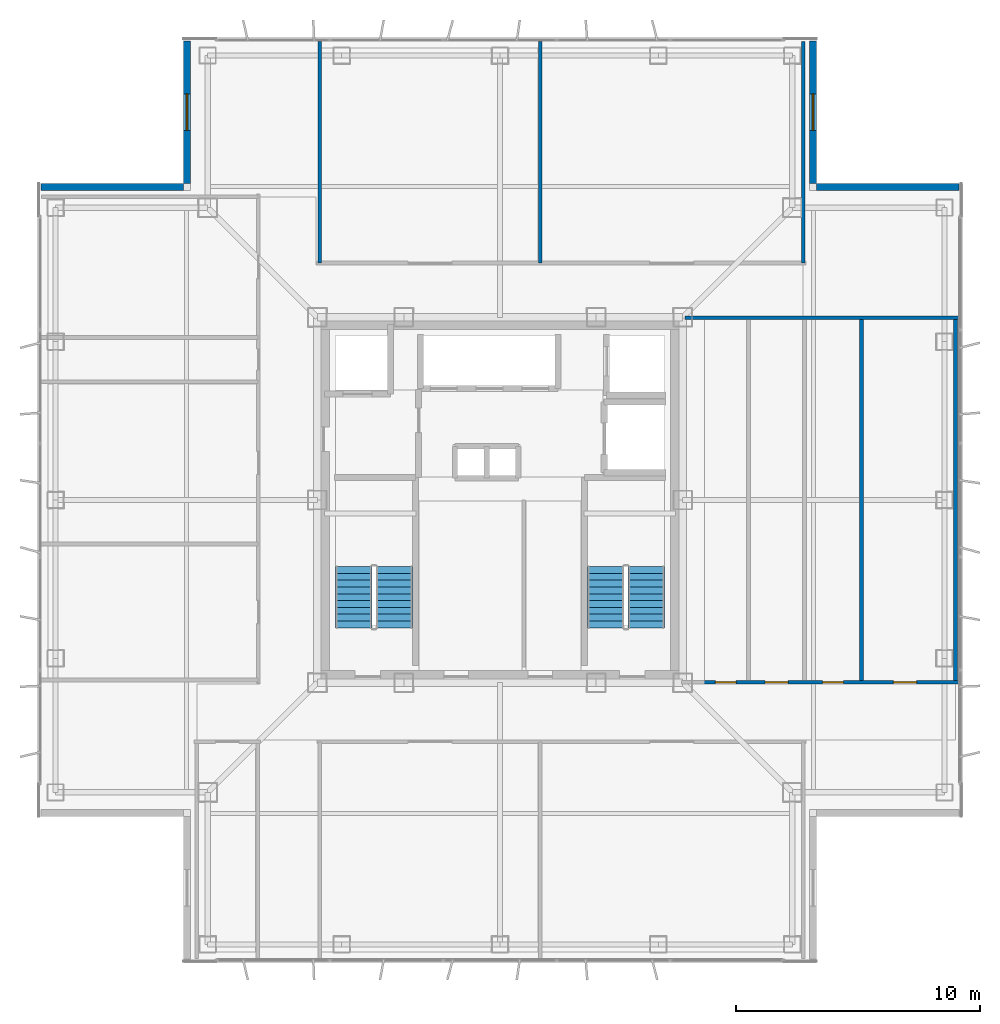
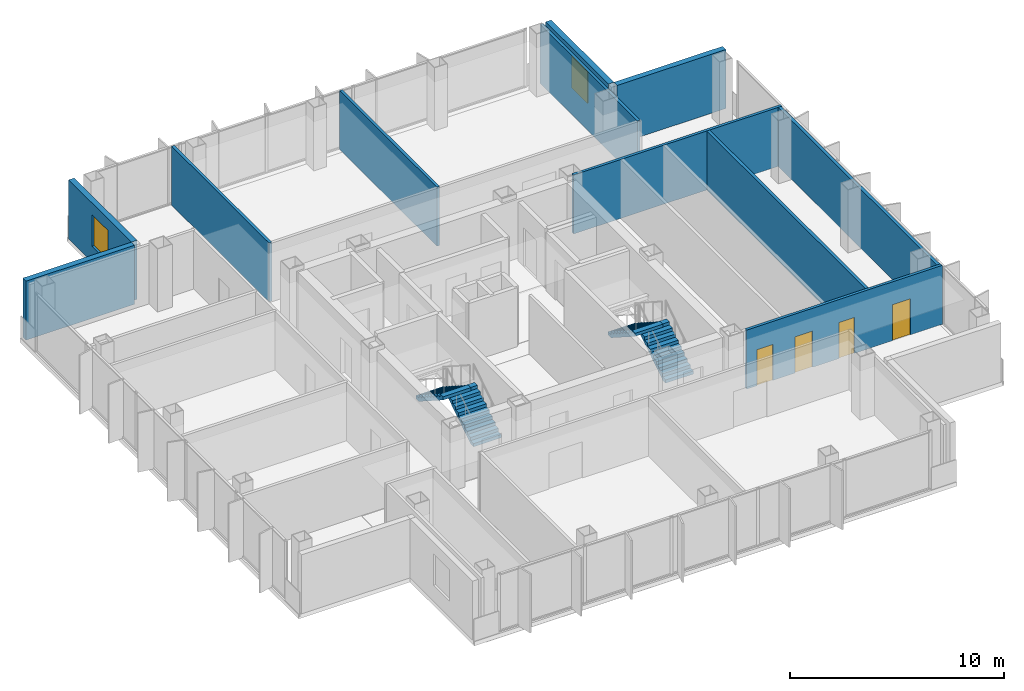
# One storey, part 9 of 15: 11 walls, 4 doors, 4 stair flights, 2 windows, 6 openings, 2 elements without a shape of their own.
"""IFC4 building model written with IfcOpenShell, lengths in metres."""

from ifc_helpers import new_model, si_unit, direction, frame, frame_2d, origin, place, context, subcontext, project, spatial, polyline, rectangle, outline, extrude, material, layer, layer_set, type_object, element, fill, aggregate, save


model = new_model("IFC4")

# Units and contexts
model_context = context("Model", 3, precision=1e-05, world=origin(), true_north=direction((0.0, 1.0)))
body_context = subcontext(model_context, "Body", "Model", "MODEL_VIEW")
ifc_project = project(units=[si_unit("LENGTHUNIT", "METRE"), si_unit("AREAUNIT", "SQUARE_METRE"), si_unit("VOLUMEUNIT", "CUBIC_METRE"), si_unit("PLANEANGLEUNIT", "RADIAN"), si_unit("MASSUNIT", "GRAM", prefix="KILO")], contexts=[model_context])

# Site, building, storey
site_placement = place(None, origin())
site = spatial("IfcSite", under=ifc_project, at=site_placement, CompositionType="ELEMENT")
building_placement = place(site_placement, origin())
building = spatial("IfcBuilding", under=site, at=building_placement, Name="Trevonay Congress Spire", CompositionType="ELEMENT")
storey_placement = place(building_placement, frame((0.0, 0.0, 282.800048828125)))
storey = spatial("IfcBuildingStorey", under=building, at=storey_placement, Name="L74", CompositionType="ELEMENT", Elevation=282.800048828125)

# Wall, openings, doors
ifc_material_1 = material(Name="Concrete C40/50", Category="concrete")
ifc_layer_1 = layer(ifc_material_1, 0.14990234375, Name="Concrete C40/50")
ifc_layer_set_1 = layer_set([ifc_layer_1], Name="Concrete C40/50")
wall_type_1 = type_object("IfcWallType", Name="WAL-CORR-150", PredefinedType="PARTITIONING", material=ifc_layer_set_1)
wall_1_placement = place(storey_placement, frame((8.280029296875, -7.47998046875, 0.0), z_axis=(0.0, 0.0, 1.0), x_axis=(1.0, 0.0, 0.0)))
wall_1 = element("IfcWall", 1, at=wall_1_placement, inside=storey, type_object=wall_type_1, Name="L74 interior wall WP-L74E-COR", PredefinedType="PARTITIONING", context=body_context, shape_type="SweptSolid", body=[
    extrude(rectangle(XDim=10.5400390625, YDim=0.14990234375, at=frame_2d((5.27001953125, 0.0))), origin(), (0.0, 0.0, 1.0), 3.35986328125),
])
opening_1_placement = place(wall_1_placement, frame((0.56005859375, 0.0, 0.0)))
opening_1 = element("IfcOpeningElement", 2, at=opening_1_placement, cuts=wall_1, Name="Opening D10", PredefinedType="OPENING", context=body_context, shape_type="SweptSolid", body=[
    extrude(rectangle(XDim=0.85009765625, YDim=2.050048828125, at=frame_2d((0.425048828125, 1.02490234375))), frame((0.0, 0.0849609375, 0.0), z_axis=(0.0, -1.0, 0.0), x_axis=(1.0, 0.0, 0.0)), (0.0, 0.0, 1.0), 0.169921875),
])
opening_2_placement = place(wall_1_placement, frame((2.60009765625, 0.0, 0.0)))
opening_2 = element("IfcOpeningElement", 3, at=opening_2_placement, cuts=wall_1, Name="Opening D07", PredefinedType="OPENING", context=body_context, shape_type="SweptSolid", body=[
    extrude(rectangle(XDim=0.949951171875, YDim=2.06005859375, at=frame_2d((0.47509765625, 1.030029296875))), frame((0.0, 0.0849609375, 0.0), z_axis=(0.0, -1.0, 0.0), x_axis=(1.0, 0.0, 0.0)), (0.0, 0.0, 1.0), 0.169921875),
])
opening_3_placement = place(wall_1_placement, frame((4.969970703125, 0.0, 0.0)))
opening_3 = element("IfcOpeningElement", 4, at=opening_3_placement, cuts=wall_1, Name="Opening D10", PredefinedType="OPENING", context=body_context, shape_type="SweptSolid", body=[
    extrude(rectangle(XDim=0.85009765625, YDim=2.050048828125, at=frame_2d((0.425048828125, 1.02490234375))), frame((0.0, 0.0849609375, 0.0), z_axis=(0.0, -1.0, 0.0), x_axis=(1.0, 0.0, 0.0)), (0.0, 0.0, 1.0), 0.169921875),
])
opening_4_placement = place(wall_1_placement, frame((7.8701171875, 0.0, 0.0)))
opening_4 = element("IfcOpeningElement", 5, at=opening_4_placement, cuts=wall_1, Name="Opening D07", PredefinedType="OPENING", context=body_context, shape_type="SweptSolid", body=[
    extrude(rectangle(XDim=0.949951171875, YDim=2.06005859375, at=frame_2d((0.47509765625, 1.030029296875))), frame((0.0, 0.0849609375, 0.0), z_axis=(0.0, -1.0, 0.0), x_axis=(1.0, 0.0, 0.0)), (0.0, 0.0, 1.0), 0.169921875),
])
ifc_material_2 = material(Name="Pale Anodised Aluminium EN AW-6063-T6", Category="aluminium")
door_type_1 = type_object("IfcDoorType", Name="DOR-OFFICE-95", OperationType="NOTDEFINED", PredefinedType="DOOR", material=ifc_material_2)
door_1_placement = place(opening_2_placement, origin())
door_1 = element("IfcDoor", 6, at=door_1_placement, inside=storey, type_object=door_type_1, Name="L74 Floor Supplies and Copy Room Door", OperationType="SINGLE_SWING_RIGHT", OverallHeight=2.06005859375, OverallWidth=0.949951171875, PredefinedType="DOOR", context=body_context, shape_type="SweptSolid", body=[
    extrude(rectangle(XDim=0.949951171875, YDim=2.06005859375, at=frame_2d((0.47509765625, 1.030029296875))), frame((0.0, 0.02490234375, 0.0), z_axis=(0.0, -1.0, 0.0), x_axis=(1.0, 0.0, 0.0)), (0.0, 0.0, 1.0), 0.050048828125),
])
fill(opening_2, door_1)
door_2_placement = place(opening_4_placement, origin())
door_2 = element("IfcDoor", 7, at=door_2_placement, inside=storey, type_object=door_type_1, Name="L74 Floor Supplies and Copy Room Door", OperationType="SINGLE_SWING_RIGHT", OverallHeight=2.06005859375, OverallWidth=0.949951171875, PredefinedType="DOOR", context=body_context, shape_type="SweptSolid", body=[
    extrude(rectangle(XDim=0.949951171875, YDim=2.06005859375, at=frame_2d((0.47509765625, 1.030029296875))), frame((0.0, 0.02490234375, 0.0), z_axis=(0.0, -1.0, 0.0), x_axis=(1.0, 0.0, 0.0)), (0.0, 0.0, 1.0), 0.050048828125),
])
fill(opening_4, door_2)
door_type_2 = type_object("IfcDoorType", Name="DOR-WC-85", OperationType="NOTDEFINED", PredefinedType="DOOR", material=ifc_material_2)
door_3_placement = place(opening_1_placement, origin())
door_3 = element("IfcDoor", 8, at=door_3_placement, inside=storey, type_object=door_type_2, Name="L74 Female Restroom WC Door", OperationType="SINGLE_SWING_LEFT", OverallHeight=2.050048828125, OverallWidth=0.85009765625, PredefinedType="DOOR", context=body_context, shape_type="SweptSolid", body=[
    extrude(rectangle(XDim=0.85009765625, YDim=2.050048828125, at=frame_2d((0.425048828125, 1.02490234375))), frame((0.0, 0.02490234375, 0.0), z_axis=(0.0, -1.0, 0.0), x_axis=(1.0, 0.0, 0.0)), (0.0, 0.0, 1.0), 0.050048828125),
])
fill(opening_1, door_3)
door_4_placement = place(opening_3_placement, origin())
door_4 = element("IfcDoor", 9, at=door_4_placement, inside=storey, type_object=door_type_2, Name="L74 Male Restroom WC Door", OperationType="SINGLE_SWING_LEFT", OverallHeight=2.050048828125, OverallWidth=0.85009765625, PredefinedType="DOOR", context=body_context, shape_type="SweptSolid", body=[
    extrude(rectangle(XDim=0.85009765625, YDim=2.050048828125, at=frame_2d((0.425048828125, 1.02490234375))), frame((0.0, 0.02490234375, 0.0), z_axis=(0.0, -1.0, 0.0), x_axis=(1.0, 0.0, 0.0)), (0.0, 0.0, 1.0), 0.050048828125),
])
fill(opening_3, door_4)

# Wall, opening, window
ifc_material_3 = material(Name="Precast concrete C40/50", Category="concrete")
ifc_layer_2 = layer(ifc_material_3, 0.300048828125, Name="Precast concrete C40/50")
ifc_layer_set_2 = layer_set([ifc_layer_2], Name="Precast concrete C40/50")
wall_type_2 = type_object("IfcWallType", Name="WAL-EXT-PRECAST-300", PredefinedType="SOLIDWALL", material=ifc_layer_set_2)
wall_2_placement = place(storey_placement, frame((12.85009765625, 18.85009765625, 0.0), z_axis=(0.0, 0.0, 1.0), x_axis=(0.0, -1.0, 0.0)))
wall_2 = element("IfcWall", 10, at=wall_2_placement, inside=storey, type_object=wall_type_2, Name="L74 NE re-entrant notch exterior wall 1", PredefinedType="SOLIDWALL", context=body_context, shape_type="SweptSolid", body=[
    extrude(rectangle(XDim=5.85009765625, YDim=0.300048828125, at=frame_2d((2.925048828125, 0.0))), origin(), (0.0, 0.0, 1.0), 3.35986328125),
])
opening_5_placement = place(wall_2_placement, frame((2.175048828125, 0.0, 0.89990234375)))
opening_5 = element("IfcOpeningElement", 11, at=opening_5_placement, cuts=wall_2, Name="Opening WN03", PredefinedType="OPENING", context=body_context, shape_type="SweptSolid", body=[
    extrude(rectangle(XDim=1.5, YDim=1.800048828125, at=frame_2d((0.75, 0.89990234375))), frame((0.0, 0.16015625, 0.0), z_axis=(0.0, -1.0, 0.0), x_axis=(1.0, 0.0, 0.0)), (0.0, 0.0, 1.0), 0.320068359375),
])
ifc_material_4 = material(Name="Insulated Low-E Vision Glass IGU", Category="glass")
window_type = type_object("IfcWindowType", Name="WIN-NOTCH-150X180", PartitioningType="SINGLE_PANEL", PredefinedType="WINDOW", material=ifc_material_4)
window_1_placement = place(opening_5_placement, origin())
window_1 = element("IfcWindow", 12, at=window_1_placement, inside=storey, type_object=window_type, Name="L74 NE corner notch window", OverallHeight=1.800048828125, OverallWidth=1.5, PartitioningType="SINGLE_PANEL", PredefinedType="WINDOW", context=body_context, shape_type="SweptSolid", body=[
    extrude(rectangle(XDim=1.5, YDim=1.800048828125, at=frame_2d((0.75, 0.89990234375))), frame((0.0, 0.030029296875, 0.0), z_axis=(0.0, -1.0, 0.0), x_axis=(1.0, 0.0, 0.0)), (0.0, 0.0, 1.0), 0.06005859375),
])
fill(opening_5, window_1)

# Wall
wall_3_placement = place(storey_placement, frame((18.85009765625, 12.85009765625, 0.0), z_axis=(0.0, 0.0, 1.0), x_axis=(-1.0, 0.0, 0.0)))
element("IfcWall", 13, at=wall_3_placement, inside=storey, type_object=wall_type_2, Name="L74 NE re-entrant notch exterior wall 2", PredefinedType="SOLIDWALL", context=body_context, shape_type="SweptSolid", body=[
    extrude(rectangle(XDim=5.85009765625, YDim=0.300048828125, at=frame_2d((2.925048828125, 0.0))), origin(), (0.0, 0.0, 1.0), 3.35986328125),
])

# Wall, opening, window
wall_4_placement = place(storey_placement, frame((-12.85009765625, 18.85009765625, 0.0), z_axis=(0.0, 0.0, 1.0), x_axis=(0.0, -1.0, 0.0)))
wall_4 = element("IfcWall", 14, at=wall_4_placement, inside=storey, type_object=wall_type_2, Name="L74 NW re-entrant notch exterior wall 1", PredefinedType="SOLIDWALL", context=body_context, shape_type="SweptSolid", body=[
    extrude(rectangle(XDim=5.85009765625, YDim=0.300048828125, at=frame_2d((2.925048828125, 0.0))), origin(), (0.0, 0.0, 1.0), 3.35986328125),
])
opening_6_placement = place(wall_4_placement, frame((2.175048828125, 0.0, 0.89990234375)))
opening_6 = element("IfcOpeningElement", 15, at=opening_6_placement, cuts=wall_4, Name="Opening WN03", PredefinedType="OPENING", context=body_context, shape_type="SweptSolid", body=[
    extrude(rectangle(XDim=1.5, YDim=1.800048828125, at=frame_2d((0.75, 0.89990234375))), frame((0.0, 0.16015625, 0.0), z_axis=(0.0, -1.0, 0.0), x_axis=(1.0, 0.0, 0.0)), (0.0, 0.0, 1.0), 0.320068359375),
])
window_2_placement = place(opening_6_placement, origin())
window_2 = element("IfcWindow", 16, at=window_2_placement, inside=storey, type_object=window_type, Name="L74 NW corner notch window", OverallHeight=1.800048828125, OverallWidth=1.5, PartitioningType="SINGLE_PANEL", PredefinedType="WINDOW", context=body_context, shape_type="SweptSolid", body=[
    extrude(rectangle(XDim=1.5, YDim=1.800048828125, at=frame_2d((0.75, 0.89990234375))), frame((0.0, 0.030029296875, 0.0), z_axis=(0.0, -1.0, 0.0), x_axis=(1.0, 0.0, 0.0)), (0.0, 0.0, 1.0), 0.06005859375),
])
fill(opening_6, window_2)

# Walls
wall_5_placement = place(storey_placement, frame((-18.85009765625, 12.85009765625, 0.0), z_axis=(0.0, 0.0, 1.0), x_axis=(1.0, 0.0, 0.0)))
element("IfcWall", 17, at=wall_5_placement, inside=storey, type_object=wall_type_2, Name="L74 NW re-entrant notch exterior wall 2", PredefinedType="SOLIDWALL", context=body_context, shape_type="SweptSolid", body=[
    extrude(rectangle(XDim=5.85009765625, YDim=0.300048828125, at=frame_2d((2.925048828125, 0.0))), origin(), (0.0, 0.0, 1.0), 3.35986328125),
])
ifc_layer_3 = layer(ifc_material_1, 0.14990234375, Name="Concrete C40/50")
ifc_layer_set_3 = layer_set([ifc_layer_3], Name="Concrete C40/50")
wall_type_3 = type_object("IfcWallType", Name="WAL-PART-150", PredefinedType="PARTITIONING", material=ifc_layer_set_3)
for number, where, z_axis, x_axis, name in (
    (18, (-7.39990234375, 9.72998046875, 0.0), (0.0, 0.0, 1.0), (0.0, 1.0, 0.0), "L74 interior wall WP-L74N-DIV1"),
    (19, (1.64990234375, 9.72998046875, 0.0), (0.0, 0.0, 1.0), (0.0, 1.0, 0.0), "L74 interior wall WP-L74N-DIV2"),
    (20, (12.449951171875, 9.72998046875, 0.0), (0.0, 0.0, 1.0), (0.0, 1.0, 0.0), "L74 interior wall WP-L74N-DIV3"),
):
    element("IfcWall", number, at=place(storey_placement, frame(where, z_axis=z_axis, x_axis=x_axis)), inside=storey, type_object=wall_type_3, Name=name, PredefinedType="PARTITIONING", context=body_context, shape_type="SweptSolid", body=[
        extrude(rectangle(XDim=9.090087890625, YDim=0.14990234375, at=frame_2d((4.544921875, 0.0))), origin(), (0.0, 0.0, 1.0), 3.35986328125),
    ])
wall_6_placement = place(storey_placement, frame((7.60009765625, 7.47998046875, 0.0), z_axis=(0.0, 0.0, 1.0), x_axis=(1.0, 0.0, 0.0)))
element("IfcWall", 21, at=wall_6_placement, inside=storey, type_object=wall_type_3, Name="L74 interior wall WP-L74E-NCLS", PredefinedType="PARTITIONING", context=body_context, shape_type="SweptSolid", body=[
    extrude(rectangle(XDim=11.219970703125, YDim=0.14990234375, at=frame_2d((5.60986328125, 0.0))), origin(), (0.0, 0.0, 1.0), 3.35986328125),
])
ifc_layer_4 = layer(ifc_material_1, 0.1650390625, Name="Concrete C40/50")
ifc_layer_set_4 = layer_set([ifc_layer_4], Name="Concrete C40/50")
wall_type_4 = type_object("IfcWallType", Name="WAL-WET-165", PredefinedType="PLUMBINGWALL", material=ifc_layer_set_4)
for number, where, z_axis, x_axis, name in (
    (22, (14.85009765625, -7.47998046875, 0.0), (0.0, 0.0, 1.0), (0.0, 1.0, 0.0), "L74 interior wall WP-L74E-WCS2"),
    (23, (18.699951171875, -7.47998046875, 0.0), (0.0, 0.0, 1.0), (0.0, 1.0, 0.0), "L74 interior wall WP-L74E-DIV2"),
):
    element("IfcWall", number, at=place(storey_placement, frame(where, z_axis=z_axis, x_axis=x_axis)), inside=storey, type_object=wall_type_4, Name=name, PredefinedType="PLUMBINGWALL", context=body_context, shape_type="SweptSolid", body=[
        extrude(rectangle(XDim=14.89990234375, YDim=0.1650390625, at=frame_2d((7.449951171875, 0.0))), origin(), (0.0, 0.0, 1.0), 3.35986328125),
    ])

# Stair, stair flights
stair_type_1 = type_object("IfcStairType", Name="STR-ST-1", PredefinedType="HALF_TURN_STAIR", material=ifc_material_1)
stair_1_placement = place(storey_placement, origin())
stair_1 = element("IfcStair", 24, at=stair_1_placement, inside=storey, type_object=stair_type_1, Name="L74 Protected Exit Stair ST-1", PredefinedType="HALF_TURN_STAIR")
stair_flight_type_1 = type_object("IfcStairFlightType", Name="SFL-ST-1", PredefinedType="STRAIGHT", material=ifc_material_1)
stair_flight_1_placement = place(storey_placement, frame((-4.35009765625, -5.25, 0.0), z_axis=(0.0, 0.0, 1.0), x_axis=(0.0, 1.0, 0.0)))
stair_flight_1 = element("IfcStairFlight", 25, at=stair_flight_1_placement, type_object=stair_flight_type_1, Name="ST-1 flight 1", NumberOfRisers=10, NumberOfTreads=9, PredefinedType="STRAIGHT", RiserHeight=0.18, TreadLength=0.28, context=body_context, shape_type="SweptSolid", body=[
    extrude(outline(polyline([(0.0, 0.0), (0.0, 0.179931640625), (0.280029296875, 0.179931640625), (0.280029296875, 0.360107421875), (0.56005859375, 0.360107421875), (0.56005859375, 0.5400390625), (0.840087890625, 0.5400390625), (0.840087890625, 0.719970703125), (1.1201171875, 0.719970703125), (1.1201171875, 0.89990234375), (1.39990234375, 0.89990234375), (1.39990234375, 1.080078125), (1.679931640625, 1.080078125), (1.679931640625, 1.260009765625), (1.9599609375, 1.260009765625), (1.9599609375, 1.43994140625), (2.239990234375, 1.43994140625), (2.239990234375, 1.6201171875), (2.52001953125, 1.6201171875), (2.52001953125, 1.800048828125), (2.52001953125, 1.44189453125), (0.277099609375, 0.0), (0.0, 0.0)])), frame((0.0, 0.75, 0.0), z_axis=(0.0, -1.0, 0.0), x_axis=(1.0, 0.0, 0.0)), (0.0, 0.0, 1.0), 1.5),
])
stair_flight_2_placement = place(storey_placement, frame((-6.0, -2.72998046875, 1.800048828125), z_axis=(0.0, 0.0, 1.0), x_axis=(0.0, -1.0, 0.0)))
stair_flight_2 = element("IfcStairFlight", 26, at=stair_flight_2_placement, type_object=stair_flight_type_1, Name="ST-1 flight 2", NumberOfRisers=10, NumberOfTreads=9, PredefinedType="STRAIGHT", RiserHeight=0.18, TreadLength=0.28, context=body_context, shape_type="SweptSolid", body=[
    extrude(outline(polyline([(0.0, 0.0), (0.0, 0.179931640625), (0.280029296875, 0.179931640625), (0.280029296875, 0.360107421875), (0.56005859375, 0.360107421875), (0.56005859375, 0.5400390625), (0.840087890625, 0.5400390625), (0.840087890625, 0.719970703125), (1.1201171875, 0.719970703125), (1.1201171875, 0.89990234375), (1.39990234375, 0.89990234375), (1.39990234375, 1.080078125), (1.679931640625, 1.080078125), (1.679931640625, 1.260009765625), (1.9599609375, 1.260009765625), (1.9599609375, 1.43994140625), (2.239990234375, 1.43994140625), (2.239990234375, 1.6201171875), (2.52001953125, 1.6201171875), (2.52001953125, 1.800048828125), (2.52001953125, 1.44189453125), (0.277099609375, 0.0), (0.0, 0.0)])), frame((0.0, 0.75, 0.0), z_axis=(0.0, -1.0, 0.0), x_axis=(1.0, 0.0, 0.0)), (0.0, 0.0, 1.0), 1.5),
])
aggregate(stair_1, [stair_flight_1, stair_flight_2])

stair_type_2 = type_object("IfcStairType", Name="STR-ST-2", PredefinedType="HALF_TURN_STAIR", material=ifc_material_1)
stair_2_placement = place(storey_placement, origin())
stair_2 = element("IfcStair", 27, at=stair_2_placement, inside=storey, type_object=stair_type_2, Name="L74 Protected Exit Stair ST-2", PredefinedType="HALF_TURN_STAIR")
stair_flight_type_2 = type_object("IfcStairFlightType", Name="SFL-ST-2", PredefinedType="STRAIGHT", material=ifc_material_1)
stair_flight_3_placement = place(storey_placement, frame((6.0, -5.25, 0.0), z_axis=(0.0, 0.0, 1.0), x_axis=(0.0, 1.0, 0.0)))
stair_flight_3 = element("IfcStairFlight", 28, at=stair_flight_3_placement, type_object=stair_flight_type_2, Name="ST-2 flight 1", NumberOfRisers=10, NumberOfTreads=9, PredefinedType="STRAIGHT", RiserHeight=0.18, TreadLength=0.28, context=body_context, shape_type="SweptSolid", body=[
    extrude(outline(polyline([(0.0, 0.0), (0.0, 0.179931640625), (0.280029296875, 0.179931640625), (0.280029296875, 0.360107421875), (0.56005859375, 0.360107421875), (0.56005859375, 0.5400390625), (0.840087890625, 0.5400390625), (0.840087890625, 0.719970703125), (1.1201171875, 0.719970703125), (1.1201171875, 0.89990234375), (1.39990234375, 0.89990234375), (1.39990234375, 1.080078125), (1.679931640625, 1.080078125), (1.679931640625, 1.260009765625), (1.9599609375, 1.260009765625), (1.9599609375, 1.43994140625), (2.239990234375, 1.43994140625), (2.239990234375, 1.6201171875), (2.52001953125, 1.6201171875), (2.52001953125, 1.800048828125), (2.52001953125, 1.44189453125), (0.277099609375, 0.0), (0.0, 0.0)])), frame((0.0, 0.75, 0.0), z_axis=(0.0, -1.0, 0.0), x_axis=(1.0, 0.0, 0.0)), (0.0, 0.0, 1.0), 1.5),
])
stair_flight_4_placement = place(storey_placement, frame((4.35009765625, -2.72998046875, 1.800048828125), z_axis=(0.0, 0.0, 1.0), x_axis=(0.0, -1.0, 0.0)))
stair_flight_4 = element("IfcStairFlight", 29, at=stair_flight_4_placement, type_object=stair_flight_type_2, Name="ST-2 flight 2", NumberOfRisers=10, NumberOfTreads=9, PredefinedType="STRAIGHT", RiserHeight=0.18, TreadLength=0.28, context=body_context, shape_type="SweptSolid", body=[
    extrude(outline(polyline([(0.0, 0.0), (0.0, 0.179931640625), (0.280029296875, 0.179931640625), (0.280029296875, 0.360107421875), (0.56005859375, 0.360107421875), (0.56005859375, 0.5400390625), (0.840087890625, 0.5400390625), (0.840087890625, 0.719970703125), (1.1201171875, 0.719970703125), (1.1201171875, 0.89990234375), (1.39990234375, 0.89990234375), (1.39990234375, 1.080078125), (1.679931640625, 1.080078125), (1.679931640625, 1.260009765625), (1.9599609375, 1.260009765625), (1.9599609375, 1.43994140625), (2.239990234375, 1.43994140625), (2.239990234375, 1.6201171875), (2.52001953125, 1.6201171875), (2.52001953125, 1.800048828125), (2.52001953125, 1.44189453125), (0.277099609375, 0.0), (0.0, 0.0)])), frame((0.0, 0.75, 0.0), z_axis=(0.0, -1.0, 0.0), x_axis=(1.0, 0.0, 0.0)), (0.0, 0.0, 1.0), 1.5),
])
aggregate(stair_2, [stair_flight_3, stair_flight_4])

save(model, "model.ifc")
